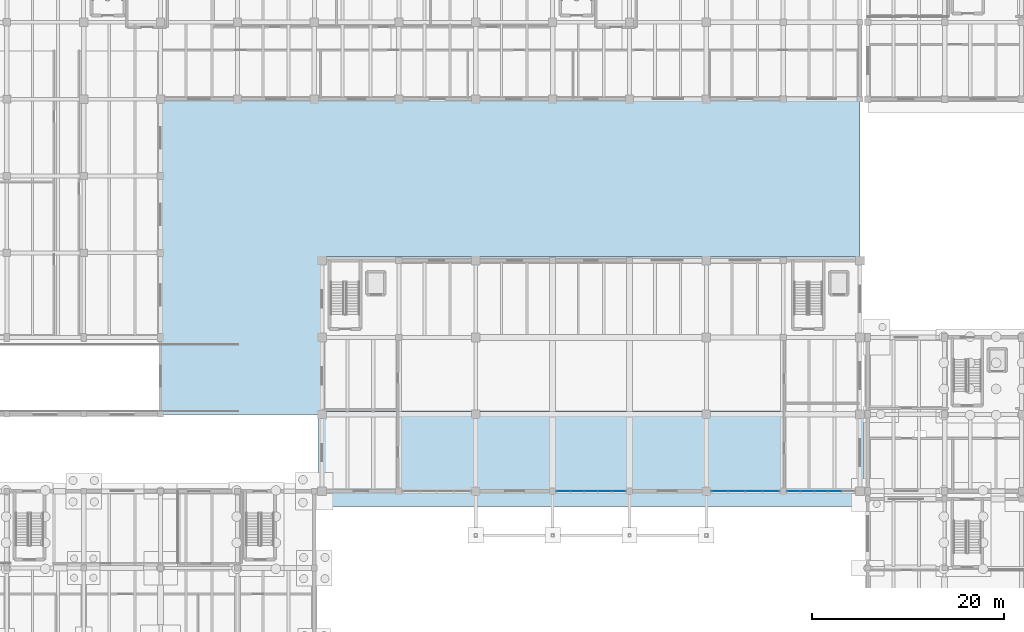
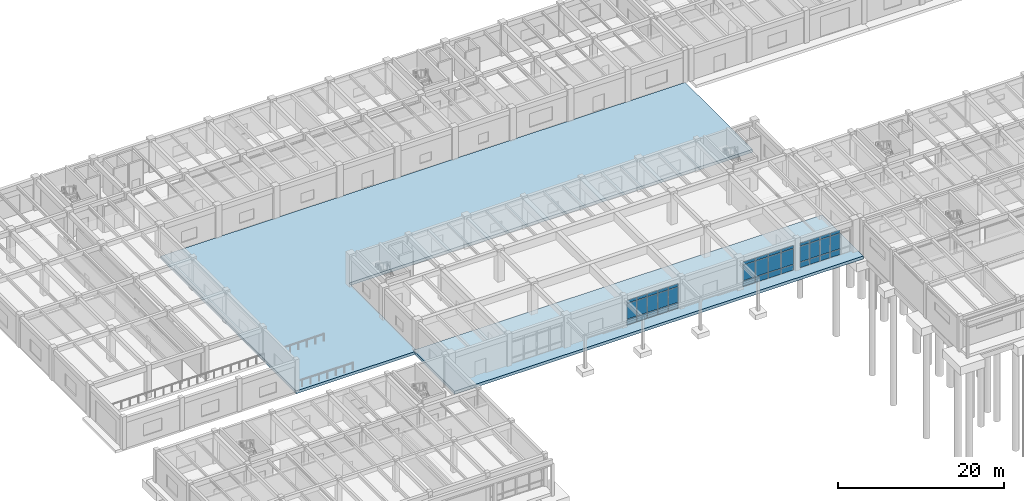
# One storey, part 28 of 64: 39 plates, 2 slabs, 3 elements without a shape of their own.
"""IFC4 building model written with IfcOpenShell, lengths in metres."""

from ifc_helpers import new_model, si_unit, direction, frame, origin, origin_2d, place, context, subcontext, project, spatial, polyline, rectangle, outline, extrude, material, layer, layer_set, type_object, element, aggregate, save


model = new_model("IFC4")

# Units and contexts
model_context = context("Model", 3, precision=1e-05, world=origin(), true_north=direction((0.0, 1.0)))
body_context = subcontext(model_context, "Body", "Model", "MODEL_VIEW")
ifc_project = project(units=[si_unit("LENGTHUNIT", "METRE"), si_unit("AREAUNIT", "SQUARE_METRE"), si_unit("VOLUMEUNIT", "CUBIC_METRE"), si_unit("PLANEANGLEUNIT", "RADIAN"), si_unit("MASSUNIT", "GRAM", prefix="KILO")], contexts=[model_context])

# Site, building, storey
site_placement = place(None, origin())
site = spatial("IfcSite", under=ifc_project, at=site_placement, CompositionType="ELEMENT")
building_placement = place(site_placement, origin())
building = spatial("IfcBuilding", under=site, at=building_placement, Name="Tlaxcora Railside Police Headquarters", CompositionType="ELEMENT")
storey_placement = place(building_placement, origin())
storey = spatial("IfcBuildingStorey", under=building, at=storey_placement, Name="L00", CompositionType="ELEMENT", Elevation=0.0)

# Slabs
ifc_material_1 = material(Name="Concrete C35/45", Category="concrete")
ifc_layer_1 = layer(ifc_material_1, 0.429931640625, Name="Concrete C35/45")
ifc_layer_set_1 = layer_set([ifc_layer_1], Name="Concrete C35/45")
slab_type_1 = type_object("IfcSlabType", Name="Basement Base Slab SL-20", PredefinedType="BASESLAB", material=ifc_layer_set_1)
slab_1_placement = place(storey_placement, frame((0.0, 0.0, -0.429931640625)))
element("IfcSlab", 1, at=slab_1_placement, inside=storey, type_object=slab_type_1, Name="L00 Public Entrance Hall south structural mat", PredefinedType="BASESLAB", context=body_context, shape_type="SweptSolid", body=[
    extrude(outline(polyline([(102.35009765625, 34.39990234375), (102.35009765625, 44.35009765625), (45.64990234375, 44.35009765625), (45.64990234375, 34.39990234375), (102.35009765625, 34.39990234375)])), origin(), (0.0, 0.0, 1.0), 0.429931640625),
])
ifc_layer_2 = layer(ifc_material_1, 0.419921875, Name="Concrete C35/45")
ifc_layer_set_2 = layer_set([ifc_layer_2], Name="Concrete C35/45")
slab_type_2 = type_object("IfcSlabType", Name="Basement Base Slab SL-65", PredefinedType="BASESLAB", material=ifc_layer_set_2)
slab_2_placement = place(storey_placement, frame((0.0, 0.0, -0.419921875)))
element("IfcSlab", 2, at=slab_2_placement, inside=storey, type_object=slab_type_2, Name="L00 Central Light Court structural deck 1", PredefinedType="BASESLAB", context=body_context, shape_type="SweptSolid", body=[
    extrude(outline(polyline([(45.64990234375, 44.0), (45.64990234375, 44.35009765625), (46.0, 44.35009765625), (46.0, 60.39990234375), (102.0, 60.39990234375), (102.0, 76.60009765625), (29.199951171875, 76.60009765625), (29.199951171875, 44.0), (45.64990234375, 44.0)])), origin(), (0.0, 0.0, 1.0), 0.419921875),
])

# Curtain wall, plates
ifc_material_2 = material(Name="Thermally broken low-E insulated glazing", Category="glass")
curtain_wall_type_1 = type_object("IfcCurtainWallType", Name="Unitised Curtain Wall Assembly CW-23", PredefinedType="NOTDEFINED", material=ifc_material_2)
curtain_wall_1_placement = place(storey_placement, origin())
curtain_wall_1 = element("IfcCurtainWall", 3, at=curtain_wall_1_placement, inside=storey, type_object=curtain_wall_type_1, Name="V1 L00 curtain wall 4", PredefinedType="NOTDEFINED")
ifc_layer_3 = layer(ifc_material_2, 0.0400390625, Name="Thermally broken low-E insulated glazing")
ifc_layer_set_3 = layer_set([ifc_layer_3], Name="Thermally broken low-E insulated glazing")
plate_type_1 = type_object("IfcPlateType", Name="Curtain Wall Infill Panel CW-17", PredefinedType="CURTAIN_PANEL", material=ifc_layer_set_3)
plate_1_placement = place(storey_placement, frame((95.107421875, 36.0, 0.080078125), z_axis=(0.0, 0.0, 1.0), x_axis=(1.0, 0.0, 0.0)))
plate_1 = element("IfcPlate", 4, at=plate_1_placement, type_object=plate_type_1, Name="CW panel 1.1", PredefinedType="CURTAIN_PANEL", context=body_context, shape_type="SweptSolid", body=[
    extrude(rectangle(XDim=1.304931640625, YDim=0.0400390625, at=origin_2d()), origin(), (0.0, 0.0, 1.0), 0.780029296875),
])
plate_2_placement = place(storey_placement, frame((95.107421875, 36.0, 0.93994140625), z_axis=(0.0, 0.0, 1.0), x_axis=(1.0, 0.0, 0.0)))
plate_2 = element("IfcPlate", 5, at=plate_2_placement, type_object=plate_type_1, Name="CW panel 1.2", PredefinedType="CURTAIN_PANEL", context=body_context, shape_type="SweptSolid", body=[
    extrude(rectangle(XDim=1.304931640625, YDim=0.0400390625, at=origin_2d()), origin(), (0.0, 0.0, 1.0), 2.25),
])
plate_3_placement = place(storey_placement, frame((95.107421875, 36.0, 3.27001953125), z_axis=(0.0, 0.0, 1.0), x_axis=(1.0, 0.0, 0.0)))
plate_3 = element("IfcPlate", 6, at=plate_3_placement, type_object=plate_type_1, Name="CW panel 1.3", PredefinedType="CURTAIN_PANEL", context=body_context, shape_type="SweptSolid", body=[
    extrude(rectangle(XDim=1.304931640625, YDim=0.0400390625, at=origin_2d()), origin(), (0.0, 0.0, 1.0), 0.409912109375),
])
plate_4_placement = place(storey_placement, frame((96.512451171875, 36.0, 0.080078125), z_axis=(0.0, 0.0, 1.0), x_axis=(1.0, 0.0, 0.0)))
plate_4 = element("IfcPlate", 7, at=plate_4_placement, type_object=plate_type_1, Name="CW panel 2.1", PredefinedType="CURTAIN_PANEL", context=body_context, shape_type="SweptSolid", body=[
    extrude(rectangle(XDim=1.344970703125, YDim=0.0400390625, at=origin_2d()), origin(), (0.0, 0.0, 1.0), 0.780029296875),
])
plate_5_placement = place(storey_placement, frame((96.512451171875, 36.0, 0.93994140625), z_axis=(0.0, 0.0, 1.0), x_axis=(1.0, 0.0, 0.0)))
plate_5 = element("IfcPlate", 8, at=plate_5_placement, type_object=plate_type_1, Name="CW panel 2.2", PredefinedType="CURTAIN_PANEL", context=body_context, shape_type="SweptSolid", body=[
    extrude(rectangle(XDim=1.344970703125, YDim=0.0400390625, at=origin_2d()), origin(), (0.0, 0.0, 1.0), 2.25),
])
plate_6_placement = place(storey_placement, frame((96.512451171875, 36.0, 3.27001953125), z_axis=(0.0, 0.0, 1.0), x_axis=(1.0, 0.0, 0.0)))
plate_6 = element("IfcPlate", 9, at=plate_6_placement, type_object=plate_type_1, Name="CW panel 2.3", PredefinedType="CURTAIN_PANEL", context=body_context, shape_type="SweptSolid", body=[
    extrude(rectangle(XDim=1.344970703125, YDim=0.0400390625, at=origin_2d()), origin(), (0.0, 0.0, 1.0), 0.409912109375),
])
plate_7_placement = place(storey_placement, frame((97.9375, 36.0, 0.080078125), z_axis=(0.0, 0.0, 1.0), x_axis=(1.0, 0.0, 0.0)))
plate_7 = element("IfcPlate", 10, at=plate_7_placement, type_object=plate_type_1, Name="CW panel 3.1", PredefinedType="CURTAIN_PANEL", context=body_context, shape_type="SweptSolid", body=[
    extrude(rectangle(XDim=1.344970703125, YDim=0.0400390625, at=origin_2d()), origin(), (0.0, 0.0, 1.0), 0.780029296875),
])
plate_8_placement = place(storey_placement, frame((97.9375, 36.0, 0.93994140625), z_axis=(0.0, 0.0, 1.0), x_axis=(1.0, 0.0, 0.0)))
plate_8 = element("IfcPlate", 11, at=plate_8_placement, type_object=plate_type_1, Name="CW panel 3.2", PredefinedType="CURTAIN_PANEL", context=body_context, shape_type="SweptSolid", body=[
    extrude(rectangle(XDim=1.344970703125, YDim=0.0400390625, at=origin_2d()), origin(), (0.0, 0.0, 1.0), 2.25),
])
plate_9_placement = place(storey_placement, frame((97.9375, 36.0, 3.27001953125), z_axis=(0.0, 0.0, 1.0), x_axis=(1.0, 0.0, 0.0)))
plate_9 = element("IfcPlate", 12, at=plate_9_placement, type_object=plate_type_1, Name="CW panel 3.3", PredefinedType="CURTAIN_PANEL", context=body_context, shape_type="SweptSolid", body=[
    extrude(rectangle(XDim=1.344970703125, YDim=0.0400390625, at=origin_2d()), origin(), (0.0, 0.0, 1.0), 0.409912109375),
])
plate_10_placement = place(storey_placement, frame((99.362548828125, 36.0, 0.080078125), z_axis=(0.0, 0.0, 1.0), x_axis=(1.0, 0.0, 0.0)))
plate_10 = element("IfcPlate", 13, at=plate_10_placement, type_object=plate_type_1, Name="CW panel 4.1", PredefinedType="CURTAIN_PANEL", context=body_context, shape_type="SweptSolid", body=[
    extrude(rectangle(XDim=1.344970703125, YDim=0.0400390625, at=origin_2d()), origin(), (0.0, 0.0, 1.0), 0.780029296875),
])
plate_11_placement = place(storey_placement, frame((99.362548828125, 36.0, 0.93994140625), z_axis=(0.0, 0.0, 1.0), x_axis=(1.0, 0.0, 0.0)))
plate_11 = element("IfcPlate", 14, at=plate_11_placement, type_object=plate_type_1, Name="CW panel 4.2", PredefinedType="CURTAIN_PANEL", context=body_context, shape_type="SweptSolid", body=[
    extrude(rectangle(XDim=1.344970703125, YDim=0.0400390625, at=origin_2d()), origin(), (0.0, 0.0, 1.0), 2.25),
])
plate_12_placement = place(storey_placement, frame((99.362548828125, 36.0, 3.27001953125), z_axis=(0.0, 0.0, 1.0), x_axis=(1.0, 0.0, 0.0)))
plate_12 = element("IfcPlate", 15, at=plate_12_placement, type_object=plate_type_1, Name="CW panel 4.3", PredefinedType="CURTAIN_PANEL", context=body_context, shape_type="SweptSolid", body=[
    extrude(rectangle(XDim=1.344970703125, YDim=0.0400390625, at=origin_2d()), origin(), (0.0, 0.0, 1.0), 0.409912109375),
])
aggregate(curtain_wall_1, [plate_1, plate_2, plate_3, plate_4, plate_5, plate_6, plate_7, plate_8, plate_9, plate_10, plate_11, plate_12])

curtain_wall_type_2 = type_object("IfcCurtainWallType", Name="Unitised Curtain Wall Assembly CW-15", PredefinedType="NOTDEFINED", material=ifc_material_2)
curtain_wall_2_placement = place(storey_placement, origin())
curtain_wall_2 = element("IfcCurtainWall", 16, at=curtain_wall_2_placement, inside=storey, type_object=curtain_wall_type_2, Name="V1 L00 curtain wall 2", PredefinedType="NOTDEFINED")
ifc_layer_4 = layer(ifc_material_2, 0.031982421875, Name="Thermally broken low-E insulated glazing")
ifc_layer_set_4 = layer_set([ifc_layer_4], Name="Thermally broken low-E insulated glazing")
plate_type_2 = type_object("IfcPlateType", Name="Curtain Wall Infill Panel CW-41", PredefinedType="CURTAIN_PANEL", material=ifc_layer_set_4)
plate_13_placement = place(storey_placement, frame((71.11865234375, 36.0, 0.074951171875), z_axis=(0.0, 0.0, 1.0), x_axis=(1.0, 0.0, 0.0)))
plate_13 = element("IfcPlate", 17, at=plate_13_placement, type_object=plate_type_2, Name="CW panel 1.1", PredefinedType="CURTAIN_PANEL", context=body_context, shape_type="SweptSolid", body=[
    extrude(rectangle(XDim=1.33740234375, YDim=0.031982421875, at=origin_2d()), origin(), (0.0, 0.0, 1.0), 0.78759765625),
])
plate_14_placement = place(storey_placement, frame((71.11865234375, 36.0, 0.9375), z_axis=(0.0, 0.0, 1.0), x_axis=(1.0, 0.0, 0.0)))
plate_14 = element("IfcPlate", 18, at=plate_14_placement, type_object=plate_type_2, Name="CW panel 1.2", PredefinedType="CURTAIN_PANEL", context=body_context, shape_type="SweptSolid", body=[
    extrude(rectangle(XDim=1.33740234375, YDim=0.031982421875, at=origin_2d()), origin(), (0.0, 0.0, 1.0), 2.2548828125),
])
plate_15_placement = place(storey_placement, frame((71.11865234375, 36.0, 3.267578125), z_axis=(0.0, 0.0, 1.0), x_axis=(1.0, 0.0, 0.0)))
plate_15 = element("IfcPlate", 19, at=plate_15_placement, type_object=plate_type_2, Name="CW panel 1.3", PredefinedType="CURTAIN_PANEL", context=body_context, shape_type="SweptSolid", body=[
    extrude(rectangle(XDim=1.33740234375, YDim=0.031982421875, at=origin_2d()), origin(), (0.0, 0.0, 1.0), 0.41748046875),
])
plate_16_placement = place(storey_placement, frame((72.550048828125, 36.0, 0.074951171875), z_axis=(0.0, 0.0, 1.0), x_axis=(1.0, 0.0, 0.0)))
plate_16 = element("IfcPlate", 20, at=plate_16_placement, type_object=plate_type_2, Name="CW panel 2.1", PredefinedType="CURTAIN_PANEL", context=body_context, shape_type="SweptSolid", body=[
    extrude(rectangle(XDim=1.375, YDim=0.031982421875, at=origin_2d()), origin(), (0.0, 0.0, 1.0), 0.78759765625),
])
plate_17_placement = place(storey_placement, frame((72.550048828125, 36.0, 0.9375), z_axis=(0.0, 0.0, 1.0), x_axis=(1.0, 0.0, 0.0)))
plate_17 = element("IfcPlate", 21, at=plate_17_placement, type_object=plate_type_2, Name="CW panel 2.2", PredefinedType="CURTAIN_PANEL", context=body_context, shape_type="SweptSolid", body=[
    extrude(rectangle(XDim=1.375, YDim=0.031982421875, at=origin_2d()), origin(), (0.0, 0.0, 1.0), 2.2548828125),
])
plate_18_placement = place(storey_placement, frame((72.550048828125, 36.0, 3.267578125), z_axis=(0.0, 0.0, 1.0), x_axis=(1.0, 0.0, 0.0)))
plate_18 = element("IfcPlate", 22, at=plate_18_placement, type_object=plate_type_2, Name="CW panel 2.3", PredefinedType="CURTAIN_PANEL", context=body_context, shape_type="SweptSolid", body=[
    extrude(rectangle(XDim=1.375, YDim=0.031982421875, at=origin_2d()), origin(), (0.0, 0.0, 1.0), 0.41748046875),
])
plate_19_placement = place(storey_placement, frame((74.0, 36.0, 0.074951171875), z_axis=(0.0, 0.0, 1.0), x_axis=(1.0, 0.0, 0.0)))
plate_19 = element("IfcPlate", 23, at=plate_19_placement, type_object=plate_type_2, Name="CW panel 3.1", PredefinedType="CURTAIN_PANEL", context=body_context, shape_type="SweptSolid", body=[
    extrude(rectangle(XDim=1.375, YDim=0.031982421875, at=origin_2d()), origin(), (0.0, 0.0, 1.0), 0.78759765625),
])
plate_20_placement = place(storey_placement, frame((74.0, 36.0, 0.9375), z_axis=(0.0, 0.0, 1.0), x_axis=(1.0, 0.0, 0.0)))
plate_20 = element("IfcPlate", 24, at=plate_20_placement, type_object=plate_type_2, Name="CW panel 3.2", PredefinedType="CURTAIN_PANEL", context=body_context, shape_type="SweptSolid", body=[
    extrude(rectangle(XDim=1.375, YDim=0.031982421875, at=origin_2d()), origin(), (0.0, 0.0, 1.0), 2.2548828125),
])
plate_21_placement = place(storey_placement, frame((74.0, 36.0, 3.267578125), z_axis=(0.0, 0.0, 1.0), x_axis=(1.0, 0.0, 0.0)))
plate_21 = element("IfcPlate", 25, at=plate_21_placement, type_object=plate_type_2, Name="CW panel 3.3", PredefinedType="CURTAIN_PANEL", context=body_context, shape_type="SweptSolid", body=[
    extrude(rectangle(XDim=1.375, YDim=0.031982421875, at=origin_2d()), origin(), (0.0, 0.0, 1.0), 0.41748046875),
])
plate_22_placement = place(storey_placement, frame((75.449951171875, 36.0, 0.074951171875), z_axis=(0.0, 0.0, 1.0), x_axis=(1.0, 0.0, 0.0)))
plate_22 = element("IfcPlate", 26, at=plate_22_placement, type_object=plate_type_2, Name="CW panel 4.1", PredefinedType="CURTAIN_PANEL", context=body_context, shape_type="SweptSolid", body=[
    extrude(rectangle(XDim=1.375, YDim=0.031982421875, at=origin_2d()), origin(), (0.0, 0.0, 1.0), 0.78759765625),
])
plate_23_placement = place(storey_placement, frame((75.449951171875, 36.0, 0.9375), z_axis=(0.0, 0.0, 1.0), x_axis=(1.0, 0.0, 0.0)))
plate_23 = element("IfcPlate", 27, at=plate_23_placement, type_object=plate_type_2, Name="CW panel 4.2", PredefinedType="CURTAIN_PANEL", context=body_context, shape_type="SweptSolid", body=[
    extrude(rectangle(XDim=1.375, YDim=0.031982421875, at=origin_2d()), origin(), (0.0, 0.0, 1.0), 2.2548828125),
])
plate_24_placement = place(storey_placement, frame((75.449951171875, 36.0, 3.267578125), z_axis=(0.0, 0.0, 1.0), x_axis=(1.0, 0.0, 0.0)))
plate_24 = element("IfcPlate", 28, at=plate_24_placement, type_object=plate_type_2, Name="CW panel 4.3", PredefinedType="CURTAIN_PANEL", context=body_context, shape_type="SweptSolid", body=[
    extrude(rectangle(XDim=1.375, YDim=0.031982421875, at=origin_2d()), origin(), (0.0, 0.0, 1.0), 0.41748046875),
])
plate_25_placement = place(storey_placement, frame((76.88134765625, 36.0, 0.074951171875), z_axis=(0.0, 0.0, 1.0), x_axis=(1.0, 0.0, 0.0)))
plate_25 = element("IfcPlate", 29, at=plate_25_placement, type_object=plate_type_2, Name="CW panel 5.1", PredefinedType="CURTAIN_PANEL", context=body_context, shape_type="SweptSolid", body=[
    extrude(rectangle(XDim=1.33740234375, YDim=0.031982421875, at=origin_2d()), origin(), (0.0, 0.0, 1.0), 0.78759765625),
])
plate_26_placement = place(storey_placement, frame((76.88134765625, 36.0, 0.9375), z_axis=(0.0, 0.0, 1.0), x_axis=(1.0, 0.0, 0.0)))
plate_26 = element("IfcPlate", 30, at=plate_26_placement, type_object=plate_type_2, Name="CW panel 5.2", PredefinedType="CURTAIN_PANEL", context=body_context, shape_type="SweptSolid", body=[
    extrude(rectangle(XDim=1.33740234375, YDim=0.031982421875, at=origin_2d()), origin(), (0.0, 0.0, 1.0), 2.2548828125),
])
plate_27_placement = place(storey_placement, frame((76.88134765625, 36.0, 3.267578125), z_axis=(0.0, 0.0, 1.0), x_axis=(1.0, 0.0, 0.0)))
plate_27 = element("IfcPlate", 31, at=plate_27_placement, type_object=plate_type_2, Name="CW panel 5.3", PredefinedType="CURTAIN_PANEL", context=body_context, shape_type="SweptSolid", body=[
    extrude(rectangle(XDim=1.33740234375, YDim=0.031982421875, at=origin_2d()), origin(), (0.0, 0.0, 1.0), 0.41748046875),
])
aggregate(curtain_wall_2, [plate_13, plate_14, plate_15, plate_16, plate_17, plate_18, plate_19, plate_20, plate_21, plate_22, plate_23, plate_24, plate_25, plate_26, plate_27])

curtain_wall_type_3 = type_object("IfcCurtainWallType", Name="Unitised Curtain Wall Assembly CW-83", PredefinedType="NOTDEFINED", material=ifc_material_2)
curtain_wall_3_placement = place(storey_placement, origin())
curtain_wall_3 = element("IfcCurtainWall", 32, at=curtain_wall_3_placement, inside=storey, type_object=curtain_wall_type_3, Name="V1 L00 curtain wall 3", PredefinedType="NOTDEFINED")
ifc_layer_5 = layer(ifc_material_2, 0.035888671875, Name="Thermally broken low-E insulated glazing")
ifc_layer_set_5 = layer_set([ifc_layer_5], Name="Thermally broken low-E insulated glazing")
plate_type_3 = type_object("IfcPlateType", Name="Curtain Wall Infill Panel CW-72", PredefinedType="CURTAIN_PANEL", material=ifc_layer_set_5)
plate_28_placement = place(storey_placement, frame((87.41064453125, 36.0, 0.080078125), z_axis=(0.0, 0.0, 1.0), x_axis=(1.0, 0.0, 0.0)))
plate_28 = element("IfcPlate", 33, at=plate_28_placement, type_object=plate_type_3, Name="CW panel 1.1", PredefinedType="CURTAIN_PANEL", context=body_context, shape_type="SweptSolid", body=[
    extrude(rectangle(XDim=1.6611328125, YDim=0.035888671875, at=origin_2d()), origin(), (0.0, 0.0, 1.0), 0.780029296875),
])
plate_29_placement = place(storey_placement, frame((87.41064453125, 36.0, 0.93994140625), z_axis=(0.0, 0.0, 1.0), x_axis=(1.0, 0.0, 0.0)))
plate_29 = element("IfcPlate", 34, at=plate_29_placement, type_object=plate_type_3, Name="CW panel 1.2", PredefinedType="CURTAIN_PANEL", context=body_context, shape_type="SweptSolid", body=[
    extrude(rectangle(XDim=1.6611328125, YDim=0.035888671875, at=origin_2d()), origin(), (0.0, 0.0, 1.0), 2.25),
])
plate_30_placement = place(storey_placement, frame((87.41064453125, 36.0, 3.27001953125), z_axis=(0.0, 0.0, 1.0), x_axis=(1.0, 0.0, 0.0)))
plate_30 = element("IfcPlate", 35, at=plate_30_placement, type_object=plate_type_3, Name="CW panel 1.3", PredefinedType="CURTAIN_PANEL", context=body_context, shape_type="SweptSolid", body=[
    extrude(rectangle(XDim=1.6611328125, YDim=0.035888671875, at=origin_2d()), origin(), (0.0, 0.0, 1.0), 0.409912109375),
])
plate_31_placement = place(storey_placement, frame((89.171875, 36.0, 0.080078125), z_axis=(0.0, 0.0, 1.0), x_axis=(1.0, 0.0, 0.0)))
plate_31 = element("IfcPlate", 36, at=plate_31_placement, type_object=plate_type_3, Name="CW panel 2.1", PredefinedType="CURTAIN_PANEL", context=body_context, shape_type="SweptSolid", body=[
    extrude(rectangle(XDim=1.701171875, YDim=0.035888671875, at=origin_2d()), origin(), (0.0, 0.0, 1.0), 0.780029296875),
])
plate_32_placement = place(storey_placement, frame((89.171875, 36.0, 0.93994140625), z_axis=(0.0, 0.0, 1.0), x_axis=(1.0, 0.0, 0.0)))
plate_32 = element("IfcPlate", 37, at=plate_32_placement, type_object=plate_type_3, Name="CW panel 2.2", PredefinedType="CURTAIN_PANEL", context=body_context, shape_type="SweptSolid", body=[
    extrude(rectangle(XDim=1.701171875, YDim=0.035888671875, at=origin_2d()), origin(), (0.0, 0.0, 1.0), 2.25),
])
plate_33_placement = place(storey_placement, frame((89.171875, 36.0, 3.27001953125), z_axis=(0.0, 0.0, 1.0), x_axis=(1.0, 0.0, 0.0)))
plate_33 = element("IfcPlate", 38, at=plate_33_placement, type_object=plate_type_3, Name="CW panel 2.3", PredefinedType="CURTAIN_PANEL", context=body_context, shape_type="SweptSolid", body=[
    extrude(rectangle(XDim=1.701171875, YDim=0.035888671875, at=origin_2d()), origin(), (0.0, 0.0, 1.0), 0.409912109375),
])
plate_34_placement = place(storey_placement, frame((90.953125, 36.0, 0.080078125), z_axis=(0.0, 0.0, 1.0), x_axis=(1.0, 0.0, 0.0)))
plate_34 = element("IfcPlate", 39, at=plate_34_placement, type_object=plate_type_3, Name="CW panel 3.1", PredefinedType="CURTAIN_PANEL", context=body_context, shape_type="SweptSolid", body=[
    extrude(rectangle(XDim=1.701171875, YDim=0.035888671875, at=origin_2d()), origin(), (0.0, 0.0, 1.0), 0.780029296875),
])
plate_35_placement = place(storey_placement, frame((90.953125, 36.0, 0.93994140625), z_axis=(0.0, 0.0, 1.0), x_axis=(1.0, 0.0, 0.0)))
plate_35 = element("IfcPlate", 40, at=plate_35_placement, type_object=plate_type_3, Name="CW panel 3.2", PredefinedType="CURTAIN_PANEL", context=body_context, shape_type="SweptSolid", body=[
    extrude(rectangle(XDim=1.701171875, YDim=0.035888671875, at=origin_2d()), origin(), (0.0, 0.0, 1.0), 2.25),
])
plate_36_placement = place(storey_placement, frame((90.953125, 36.0, 3.27001953125), z_axis=(0.0, 0.0, 1.0), x_axis=(1.0, 0.0, 0.0)))
plate_36 = element("IfcPlate", 41, at=plate_36_placement, type_object=plate_type_3, Name="CW panel 3.3", PredefinedType="CURTAIN_PANEL", context=body_context, shape_type="SweptSolid", body=[
    extrude(rectangle(XDim=1.701171875, YDim=0.035888671875, at=origin_2d()), origin(), (0.0, 0.0, 1.0), 0.409912109375),
])
plate_37_placement = place(storey_placement, frame((92.71435546875, 36.0, 0.080078125), z_axis=(0.0, 0.0, 1.0), x_axis=(1.0, 0.0, 0.0)))
plate_37 = element("IfcPlate", 42, at=plate_37_placement, type_object=plate_type_3, Name="CW panel 4.1", PredefinedType="CURTAIN_PANEL", context=body_context, shape_type="SweptSolid", body=[
    extrude(rectangle(XDim=1.6611328125, YDim=0.035888671875, at=origin_2d()), origin(), (0.0, 0.0, 1.0), 0.780029296875),
])
plate_38_placement = place(storey_placement, frame((92.71435546875, 36.0, 0.93994140625), z_axis=(0.0, 0.0, 1.0), x_axis=(1.0, 0.0, 0.0)))
plate_38 = element("IfcPlate", 43, at=plate_38_placement, type_object=plate_type_3, Name="CW panel 4.2", PredefinedType="CURTAIN_PANEL", context=body_context, shape_type="SweptSolid", body=[
    extrude(rectangle(XDim=1.6611328125, YDim=0.035888671875, at=origin_2d()), origin(), (0.0, 0.0, 1.0), 2.25),
])
plate_39_placement = place(storey_placement, frame((92.71435546875, 36.0, 3.27001953125), z_axis=(0.0, 0.0, 1.0), x_axis=(1.0, 0.0, 0.0)))
plate_39 = element("IfcPlate", 44, at=plate_39_placement, type_object=plate_type_3, Name="CW panel 4.3", PredefinedType="CURTAIN_PANEL", context=body_context, shape_type="SweptSolid", body=[
    extrude(rectangle(XDim=1.6611328125, YDim=0.035888671875, at=origin_2d()), origin(), (0.0, 0.0, 1.0), 0.409912109375),
])
aggregate(curtain_wall_3, [plate_28, plate_29, plate_30, plate_31, plate_32, plate_33, plate_34, plate_35, plate_36, plate_37, plate_38, plate_39])

save(model, "model.ifc")
